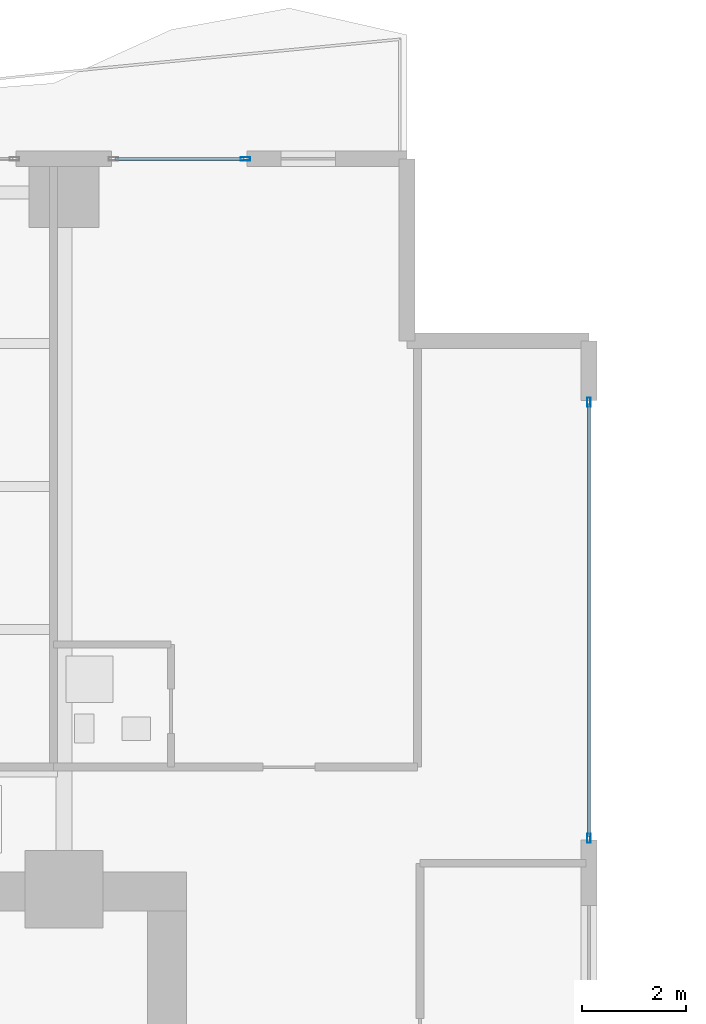
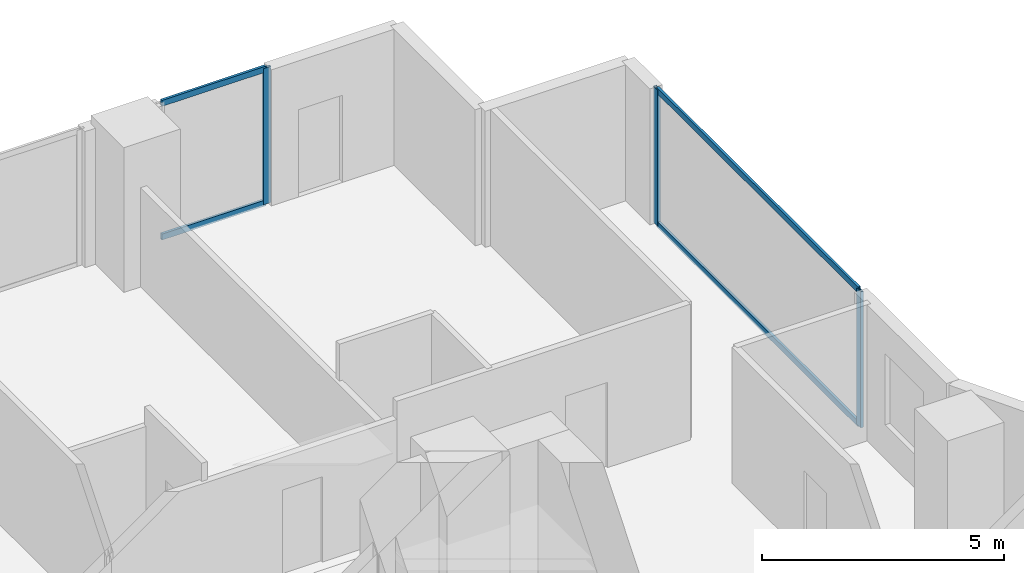
# One storey, part 19 of 29: 7 members, 2 elements without a shape of their own.
"""IFC4 building model written with IfcOpenShell, lengths in metres."""

from ifc_helpers import new_model, si_unit, direction, frame, origin, origin_2d, place, context, subcontext, project, spatial, hollow_rectangle, extrude, material, layer, layer_set, material_profile, profile_set, type_object, element, aggregate, save


model = new_model("IFC4")

# Units and contexts
model_context = context("Model", 3, precision=1e-05, world=origin(), true_north=direction((0.0, 1.0)))
body_context = subcontext(model_context, "Body", "Model", "MODEL_VIEW")
ifc_project = project(units=[si_unit("LENGTHUNIT", "METRE"), si_unit("AREAUNIT", "SQUARE_METRE"), si_unit("VOLUMEUNIT", "CUBIC_METRE"), si_unit("PLANEANGLEUNIT", "RADIAN"), si_unit("MASSUNIT", "GRAM", prefix="KILO")], contexts=[model_context])

# Site, building, storey
site_placement = place(None, origin())
site = spatial("IfcSite", under=ifc_project, at=site_placement, CompositionType="ELEMENT")
building_placement = place(site_placement, origin())
building = spatial("IfcBuilding", under=site, at=building_placement, Name="Zuhayl Quay Hotel", CompositionType="ELEMENT")
storey_placement = place(building_placement, frame((0.0, 0.0, 132.14990234375)))
storey = spatial("IfcBuildingStorey", under=building, at=storey_placement, Name="L33", CompositionType="ELEMENT", Elevation=132.14990234375)

# Curtain wall, member
ifc_material_1 = material(Name="Anodised Aluminium 6063-T6", Category="aluminium")
ifc_layer = layer(ifc_material_1, 0.179931640625, Name="Anodised Aluminium 6063-T6", Category="aluminium")
ifc_layer_set = layer_set([ifc_layer], Name="Anodised Aluminium 6063-T6")
curtain_wall_type = type_object("IfcCurtainWallType", Name="CW_SYS_Z2", PredefinedType="USERDEFINED", material=ifc_layer_set)
curtain_wall_1_placement = place(storey_placement, origin())
curtain_wall_1 = element("IfcCurtainWall", 1, at=curtain_wall_1_placement, inside=storey, type_object=curtain_wall_type, Name="L33 Curtain Wall ENV_L33_N_CW6", ObjectType="UNITISED CURTAIN WALL", PredefinedType="USERDEFINED")
ifc_material_2 = material(Name="Black-anodised aluminium 6063-T6", Category="aluminium")
ifc_material_profile_1 = material_profile(ifc_material_2, hollow_rectangle(XDim=0.06494140625, YDim=0.179931640625, WallThickness=0.00341796875, at=origin_2d()), Name="ALU180X65")
ifc_profile_set_1 = profile_set([ifc_material_profile_1], Name="Black-anodised aluminium 6063-T6")
member_type_1 = type_object("IfcMemberType", Name="MB_CW_MUL_180", PredefinedType="MULLION", material=ifc_profile_set_1)
member_1_placement = place(storey_placement, frame((17.29248046875, 28.39990234375, 0.0), z_axis=(0.0, 0.0, 1.0), x_axis=(0.0, 1.0, 0.0)))
member_1 = element("IfcMember", 2, at=member_1_placement, type_object=member_type_1, Name="CW-Z2 mullion 2", PredefinedType="MULLION", context=body_context, shape_type="SweptSolid", body=[
    extrude(hollow_rectangle(XDim=0.06494140625, YDim=0.179931640625, WallThickness=0.00341796875, at=origin_2d()), origin(), (0.0, 0.0, 1.0), 3.43017578125),
])

# Curtain wall, members
curtain_wall_2_placement = place(storey_placement, origin())
curtain_wall_2 = element("IfcCurtainWall", 3, at=curtain_wall_2_placement, inside=storey, type_object=curtain_wall_type, Name="L33 Curtain Wall ENV_L33_E11_CW1", ObjectType="UNITISED CURTAIN WALL", PredefinedType="USERDEFINED")
member_2_placement = place(storey_placement, frame((23.89990234375, 23.717529296875, 0.0), z_axis=(0.0, 0.0, 1.0), x_axis=(1.0, 0.0, 0.0)))
member_2 = element("IfcMember", 4, at=member_2_placement, type_object=member_type_1, Name="CW-Z2 mullion 1", PredefinedType="MULLION", context=body_context, shape_type="SweptSolid", body=[
    extrude(hollow_rectangle(XDim=0.06494140625, YDim=0.179931640625, WallThickness=0.00341796875, at=origin_2d()), origin(), (0.0, 0.0, 1.0), 3.43017578125),
])
member_3_placement = place(storey_placement, frame((23.89990234375, 15.33251953125, 0.0), z_axis=(0.0, 0.0, 1.0), x_axis=(1.0, 0.0, 0.0)))
member_3 = element("IfcMember", 5, at=member_3_placement, type_object=member_type_1, Name="CW-Z2 mullion 2", PredefinedType="MULLION", context=body_context, shape_type="SweptSolid", body=[
    extrude(hollow_rectangle(XDim=0.06494140625, YDim=0.179931640625, WallThickness=0.00341796875, at=origin_2d()), origin(), (0.0, 0.0, 1.0), 3.43017578125),
])

# Member
ifc_material_profile_2 = material_profile(ifc_material_2, hollow_rectangle(XDim=0.06005859375, YDim=0.14990234375, WallThickness=0.00341796875, at=origin_2d()), Name="ALU150X60")
ifc_profile_set_2 = profile_set([ifc_material_profile_2], Name="Black-anodised aluminium 6063-T6")
member_type_2 = type_object("IfcMemberType", Name="MB_CW_TRN_150", PredefinedType="USERDEFINED", material=ifc_profile_set_2)
member_4_placement = place(storey_placement, frame((14.784912109375, 28.39990234375, 0.030029296875), z_axis=(1.0, 0.0, 0.0), x_axis=(0.0, 1.0, 0.0)))
member_4 = element("IfcMember", 6, at=member_4_placement, type_object=member_type_2, Name="CW-Z2 transom 1.1", ObjectType="TRANSOM", PredefinedType="USERDEFINED", context=body_context, shape_type="SweptSolid", body=[
    extrude(hollow_rectangle(XDim=0.06005859375, YDim=0.14990234375, WallThickness=0.00341796875, at=origin_2d()), origin(), (0.0, 0.0, 1.0), 2.47509765625),
])

member_5_placement = place(storey_placement, frame((14.784912109375, 28.39990234375, 3.400146484375), z_axis=(1.0, 0.0, 0.0), x_axis=(0.0, 1.0, 0.0)))
member_5 = element("IfcMember", 7, at=member_5_placement, type_object=member_type_2, Name="CW-Z2 transom 1.2", ObjectType="TRANSOM", PredefinedType="USERDEFINED", context=body_context, shape_type="SweptSolid", body=[
    extrude(hollow_rectangle(XDim=0.06005859375, YDim=0.14990234375, WallThickness=0.00341796875, at=origin_2d()), origin(), (0.0, 0.0, 1.0), 2.47509765625),
])

aggregate(curtain_wall_1, [member_1, member_4, member_5])

member_6_placement = place(storey_placement, frame((23.89990234375, 23.68505859375, 0.030029296875), z_axis=(0.0, -1.0, 0.0), x_axis=(1.0, 0.0, 0.0)))
member_6 = element("IfcMember", 8, at=member_6_placement, type_object=member_type_2, Name="CW-Z2 transom 1.1", ObjectType="TRANSOM", PredefinedType="USERDEFINED", context=body_context, shape_type="SweptSolid", body=[
    extrude(hollow_rectangle(XDim=0.06005859375, YDim=0.14990234375, WallThickness=0.00341796875, at=origin_2d()), origin(), (0.0, 0.0, 1.0), 8.320068359375),
])

member_7_placement = place(storey_placement, frame((23.89990234375, 23.68505859375, 3.400146484375), z_axis=(0.0, -1.0, 0.0), x_axis=(1.0, 0.0, 0.0)))
member_7 = element("IfcMember", 9, at=member_7_placement, type_object=member_type_2, Name="CW-Z2 transom 1.2", ObjectType="TRANSOM", PredefinedType="USERDEFINED", context=body_context, shape_type="SweptSolid", body=[
    extrude(hollow_rectangle(XDim=0.06005859375, YDim=0.14990234375, WallThickness=0.00341796875, at=origin_2d()), origin(), (0.0, 0.0, 1.0), 8.320068359375),
])

aggregate(curtain_wall_2, [member_2, member_3, member_6, member_7])

save(model, "model.ifc")
